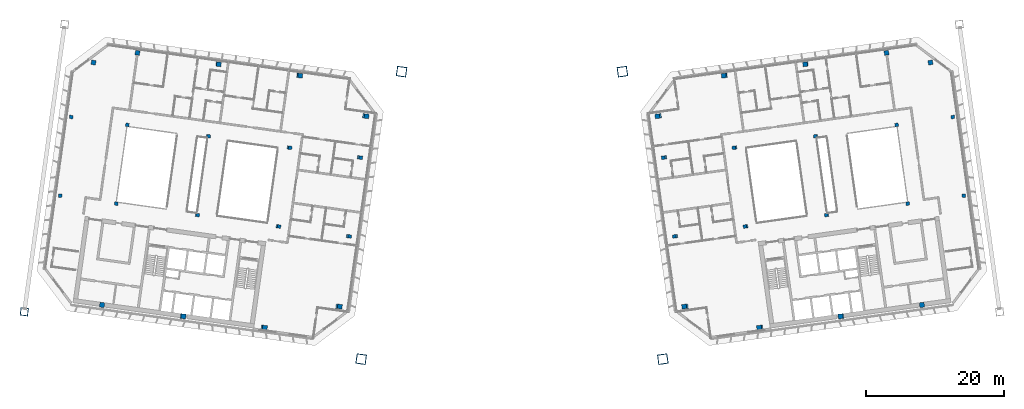
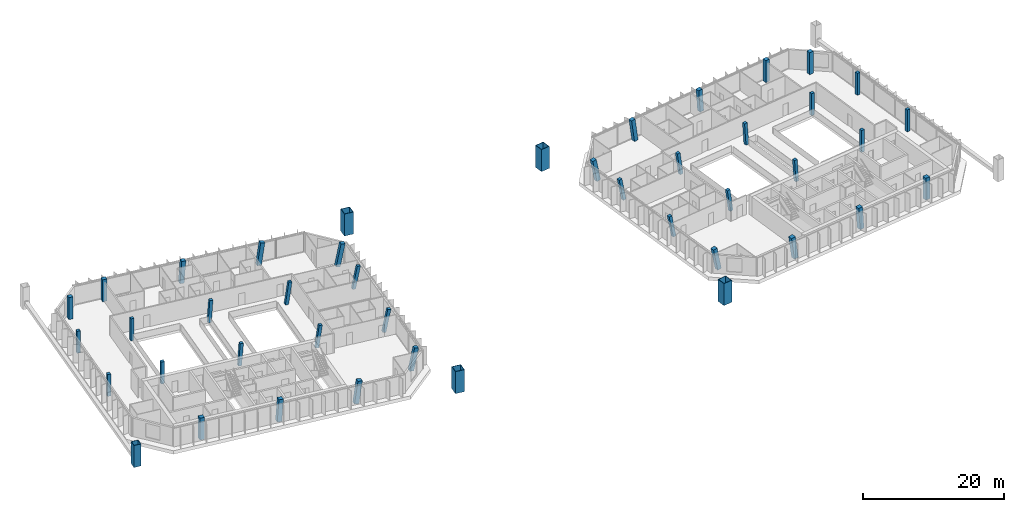
# One storey, part 1 of 26: 42 columns, 1 member.
"""IFC4 building model written with IfcOpenShell, lengths in metres."""

from ifc_helpers import new_model, si_unit, direction, frame, origin, origin_2d, place, context, subcontext, project, spatial, rectangle, hollow_rectangle, extrude, material, material_profile, profile_set, type_object, element, save


model = new_model("IFC4")

# Units and contexts
model_context = context("Model", 3, precision=1e-05, world=origin(), true_north=direction((0.0, 1.0)))
body_context = subcontext(model_context, "Body", "Model", "MODEL_VIEW")
ifc_project = project(units=[si_unit("LENGTHUNIT", "METRE"), si_unit("AREAUNIT", "SQUARE_METRE"), si_unit("VOLUMEUNIT", "CUBIC_METRE"), si_unit("PLANEANGLEUNIT", "RADIAN"), si_unit("MASSUNIT", "GRAM", prefix="KILO")], contexts=[model_context])

# Site, building, storey
site_placement = place(None, origin())
site = spatial("IfcSite", under=ifc_project, at=site_placement, CompositionType="ELEMENT")
building_placement = place(site_placement, origin())
building = spatial("IfcBuilding", under=site, at=building_placement, Name="Mirante Cascada Hotel Towers", CompositionType="ELEMENT")
storey_placement = place(building_placement, frame((0.0, 0.0, 235.6)))
storey = spatial("IfcBuildingStorey", under=building, at=storey_placement, Name="L56", CompositionType="ELEMENT", Elevation=235.6)

# Columns
ifc_material_1 = material(Name="Steel ASTM A572 Gr 50", Category="steel")
ifc_material_profile_1 = material_profile(ifc_material_1, hollow_rectangle(XDim=1.4, YDim=1.4, WallThickness=0.06, at=origin_2d()), Name="Box column 1400x1400x60 ASTM A572 Gr 50")
ifc_profile_set_1 = profile_set([ifc_material_profile_1], Name="Steel ASTM A572 Gr 50")
column_type_1 = type_object("IfcColumnType", Name="Box column 1400x1400x60 ASTM A572 Gr 50", PredefinedType="COLUMN", material=ifc_profile_set_1)
for number, where, z_axis, x_axis, name in (
    (1, (-15.9713, 17.2348, 0.0), (0.0, 0.0, 1.0), (-0.9902681, 0.1391731, 0.0), "Mega column MC1 T1 L56"),
    (2, (-21.8166, -24.3565, 0.0), (0.0, 0.0, 1.0), (-0.9902681, 0.1391731, 0.0), "Mega column MC2 T1 L56"),
    (3, (15.9713, 17.2348, 0.0), (0.0, 0.0, 1.0), (0.9902681, 0.1391731, 0.0), "Mega column MC1 T2 L56"),
    (4, (21.8166, -24.3565, 0.0), (0.0, 0.0, 1.0), (0.9902681, 0.1391731, 0.0), "Mega column MC2 T2 L56"),
):
    element("IfcColumn", number, at=place(storey_placement, frame(where, z_axis=z_axis, x_axis=x_axis)), inside=storey, type_object=column_type_1, Name=name, PredefinedType="COLUMN", context=body_context, shape_type="SweptSolid", body=[
        extrude(hollow_rectangle(XDim=1.4, YDim=1.4, WallThickness=0.06, at=origin_2d()), origin(), (0.0, 0.0, 1.0), 3.8),
    ])
ifc_material_2 = material(Name="Concrete C50/60", Category="concrete")
ifc_material_profile_2 = material_profile(ifc_material_2, rectangle(XDim=0.5, YDim=0.5, at=origin_2d()), Name="RC column 500x500 C50/60")
ifc_profile_set_2 = profile_set([ifc_material_profile_2], Name="Concrete C50/60")
column_type_2 = type_object("IfcColumnType", Name="RC column 500x500 C50/60", PredefinedType="COLUMN", material=ifc_profile_set_2)
for number, where, z_axis, x_axis, name in (
    (5, (-22.1138, 4.8188, 0.0039), (0.1939194, -0.0272558, 0.9806388), (0.139184, 0.9902665, 0.0), "Column T1 L56 2"),
    (6, (-23.7143, -6.5693, 0.0039), (0.1939194, -0.0272558, 0.9806388), (0.139184, 0.9902665, 0.0), "Column T1 L56 3"),
):
    element("IfcColumn", number, at=place(storey_placement, frame(where, z_axis=z_axis, x_axis=x_axis)), inside=storey, type_object=column_type_2, Name=name, PredefinedType="COLUMN", context=body_context, shape_type="SweptSolid", body=[
        extrude(rectangle(XDim=0.5, YDim=0.5, at=origin_2d()), origin(), (0.0, 0.0, 1.0), 3.8671),
    ])
for number, where, z_axis, x_axis, name in (
    (7, (-32.2616, 6.245, 0.004), (0.1370645, -0.0192747, 0.9903746), (0.1392548, 0.9902566, 0.0), "Column T1 L56 6"),
    (8, (-33.8621, -5.1431, 0.004), (0.1370646, -0.0192486, 0.9903751), (0.1390698, 0.9902826, 0.0), "Column T1 L56 7"),
):
    element("IfcColumn", number, at=place(storey_placement, frame(where, z_axis=z_axis, x_axis=x_axis)), inside=storey, type_object=column_type_2, Name=name, PredefinedType="COLUMN", context=body_context, shape_type="SweptSolid", body=[
        extrude(rectangle(XDim=0.5, YDim=0.5, at=origin_2d()), origin(), (0.0, 0.0, 1.0), 3.8289),
    ])
column_1_placement = place(storey_placement, frame((-43.9532, 7.8881, 0.004), z_axis=(0.06903, -0.009681, 0.9975676), x_axis=(0.1388847, 0.9903086, 0.0)))
element("IfcColumn", 9, at=column_1_placement, inside=storey, type_object=column_type_2, Name="Column T1 L56 10", PredefinedType="COLUMN", context=body_context, shape_type="SweptSolid", body=[
    extrude(rectangle(XDim=0.5, YDim=0.5, at=origin_2d()), origin(), (0.0, 0.0, 1.0), 3.8012),
])
column_2_placement = place(storey_placement, frame((-45.5537, -3.4999, 0.004), z_axis=(0.0690562, -0.0097073, 0.9975655), x_axis=(0.1392028, 0.9902639, 0.0)))
element("IfcColumn", 10, at=column_2_placement, inside=storey, type_object=column_type_2, Name="Column T1 L56 11", PredefinedType="COLUMN", context=body_context, shape_type="SweptSolid", body=[
    extrude(rectangle(XDim=0.5, YDim=0.5, at=origin_2d()), origin(), (0.0, 0.0, 1.0), 3.8013),
])
for number, where, z_axis, x_axis, name in (
    (11, (-55.6447, 9.5313, 0.0), (0.0, 0.0, 1.0), (-0.9902681, 0.1391731, 0.0), "Column T1 L56 14"),
    (12, (-57.2452, -1.8568, 0.0), (0.0, 0.0, 1.0), (-0.9902681, 0.1391731, 0.0), "Column T1 L56 15"),
    (13, (-63.7649, 10.6725, 0.0), (0.0, 0.0, 1.0), (-0.9902681, 0.1391731, 0.0), "Column T1 L56 18"),
    (14, (-65.3654, -0.7156, 0.0), (0.0, 0.0, 1.0), (-0.9902681, 0.1391731, 0.0), "Column T1 L56 19"),
):
    element("IfcColumn", number, at=place(storey_placement, frame(where, z_axis=z_axis, x_axis=x_axis)), inside=storey, type_object=column_type_2, Name=name, PredefinedType="COLUMN", context=body_context, shape_type="SweptSolid", body=[
        extrude(rectangle(XDim=0.5, YDim=0.5, at=origin_2d()), origin(), (0.0, 0.0, 1.0), 3.8),
    ])
for number, where, z_axis, x_axis, name in (
    (15, (22.1138, 4.8188, 0.0039), (-0.1939194, -0.0272558, 0.9806388), (0.139184, -0.9902665, 0.0), "Column T2 L56 2"),
    (16, (23.7143, -6.5693, 0.0039), (-0.1939194, -0.0272558, 0.9806388), (0.139184, -0.9902665, 0.0), "Column T2 L56 3"),
):
    element("IfcColumn", number, at=place(storey_placement, frame(where, z_axis=z_axis, x_axis=x_axis)), inside=storey, type_object=column_type_2, Name=name, PredefinedType="COLUMN", context=body_context, shape_type="SweptSolid", body=[
        extrude(rectangle(XDim=0.5, YDim=0.5, at=origin_2d()), origin(), (0.0, 0.0, 1.0), 3.8671),
    ])
for number, where, z_axis, x_axis, name in (
    (17, (32.2616, 6.245, 0.004), (-0.1370645, -0.0192747, 0.9903746), (0.1392548, -0.9902566, 0.0), "Column T2 L56 6"),
    (18, (33.8621, -5.1431, 0.004), (-0.1370646, -0.0192486, 0.9903751), (0.1390698, -0.9902826, 0.0), "Column T2 L56 7"),
):
    element("IfcColumn", number, at=place(storey_placement, frame(where, z_axis=z_axis, x_axis=x_axis)), inside=storey, type_object=column_type_2, Name=name, PredefinedType="COLUMN", context=body_context, shape_type="SweptSolid", body=[
        extrude(rectangle(XDim=0.5, YDim=0.5, at=origin_2d()), origin(), (0.0, 0.0, 1.0), 3.8289),
    ])
column_3_placement = place(storey_placement, frame((43.9532, 7.8881, 0.004), z_axis=(-0.06903, -0.009681, 0.9975676), x_axis=(0.1388847, -0.9903086, 0.0)))
element("IfcColumn", 19, at=column_3_placement, inside=storey, type_object=column_type_2, Name="Column T2 L56 10", PredefinedType="COLUMN", context=body_context, shape_type="SweptSolid", body=[
    extrude(rectangle(XDim=0.5, YDim=0.5, at=origin_2d()), origin(), (0.0, 0.0, 1.0), 3.8012),
])
column_4_placement = place(storey_placement, frame((45.5537, -3.4999, 0.004), z_axis=(-0.0690562, -0.0097073, 0.9975655), x_axis=(0.1392028, -0.9902639, 0.0)))
element("IfcColumn", 20, at=column_4_placement, inside=storey, type_object=column_type_2, Name="Column T2 L56 11", PredefinedType="COLUMN", context=body_context, shape_type="SweptSolid", body=[
    extrude(rectangle(XDim=0.5, YDim=0.5, at=origin_2d()), origin(), (0.0, 0.0, 1.0), 3.8013),
])
for number, where, z_axis, x_axis, name in (
    (21, (55.6447, 9.5313, 0.0), (0.0, 0.0, 1.0), (0.9902681, 0.1391731, 0.0), "Column T2 L56 14"),
    (22, (57.2452, -1.8568, 0.0), (0.0, 0.0, 1.0), (0.9902681, 0.1391731, 0.0), "Column T2 L56 15"),
    (23, (63.7649, 10.6725, 0.0), (0.0, 0.0, 1.0), (0.9902681, 0.1391731, 0.0), "Column T2 L56 18"),
    (24, (65.3654, -0.7156, 0.0), (0.0, 0.0, 1.0), (0.9902681, 0.1391731, 0.0), "Column T2 L56 19"),
):
    element("IfcColumn", number, at=place(storey_placement, frame(where, z_axis=z_axis, x_axis=x_axis)), inside=storey, type_object=column_type_2, Name=name, PredefinedType="COLUMN", context=body_context, shape_type="SweptSolid", body=[
        extrude(rectangle(XDim=0.5, YDim=0.5, at=origin_2d()), origin(), (0.0, 0.0, 1.0), 3.8),
    ])
ifc_material_3 = material(Name="Concrete C50/60", Category="concrete")
ifc_material_profile_3 = material_profile(ifc_material_3, rectangle(XDim=0.65, YDim=0.65, at=origin_2d()), Name="RC column 650x650 C50/60")
ifc_profile_set_3 = profile_set([ifc_material_profile_3], Name="Concrete C50/60")
column_type_3 = type_object("IfcColumnType", Name="RC column 650x650 C50/60", PredefinedType="COLUMN", material=ifc_profile_set_3)
for number, where, z_axis, x_axis, name in (
    (25, (-21.2718, 10.8099, 0.0039), (0.1939194, -0.0272558, 0.9806388), (0.139184, 0.9902665, 0.0), "Column T1 L56 1"),
    (26, (-25.1408, -16.7195, 0.0039), (0.1939194, -0.0272558, 0.9806388), (0.139184, 0.9902665, 0.0), "Column T1 L56 4"),
):
    element("IfcColumn", number, at=place(storey_placement, frame(where, z_axis=z_axis, x_axis=x_axis)), inside=storey, type_object=column_type_3, Name=name, PredefinedType="COLUMN", context=body_context, shape_type="SweptSolid", body=[
        extrude(rectangle(XDim=0.65, YDim=0.65, at=origin_2d()), origin(), (0.0, 0.0, 1.0), 3.8671),
    ])
column_5_placement = place(storey_placement, frame((-30.7968, 16.6676, 0.004), z_axis=(0.1370645, -0.0192747, 0.9903746), x_axis=(0.1392548, 0.9902566, 0.0)))
element("IfcColumn", 27, at=column_5_placement, inside=storey, type_object=column_type_3, Name="Column T1 L56 5", PredefinedType="COLUMN", context=body_context, shape_type="SweptSolid", body=[
    extrude(rectangle(XDim=0.65, YDim=0.65, at=origin_2d()), origin(), (0.0, 0.0, 1.0), 3.8289),
])
column_6_placement = place(storey_placement, frame((-42.4884, 18.3107, 0.004), z_axis=(0.06903, -0.0097073, 0.9975674), x_axis=(0.1392548, 0.9902566, 0.0)))
element("IfcColumn", 28, at=column_6_placement, inside=storey, type_object=column_type_3, Name="Column T1 L56 9", PredefinedType="COLUMN", context=body_context, shape_type="SweptSolid", body=[
    extrude(rectangle(XDim=0.65, YDim=0.65, at=origin_2d()), origin(), (0.0, 0.0, 1.0), 3.8012),
])
for number, where, z_axis, x_axis, name in (
    (29, (-54.1799, 19.9538, 0.0), (0.0, 0.0, 1.0), (-0.9902681, 0.1391731, 0.0), "Column T1 L56 13"),
    (30, (-60.5372, 18.5499, 0.0), (0.0, 0.0, 1.0), (-0.9902681, 0.1391731, 0.0), "Column T1 L56 17"),
):
    element("IfcColumn", number, at=place(storey_placement, frame(where, z_axis=z_axis, x_axis=x_axis)), inside=storey, type_object=column_type_3, Name=name, PredefinedType="COLUMN", context=body_context, shape_type="SweptSolid", body=[
        extrude(rectangle(XDim=0.65, YDim=0.65, at=origin_2d()), origin(), (0.0, 0.0, 1.0), 3.8),
    ])
for number, where, z_axis, x_axis, name in (
    (31, (21.2718, 10.8099, 0.0039), (-0.1939194, -0.0272558, 0.9806388), (0.139184, -0.9902665, 0.0), "Column T2 L56 1"),
    (32, (25.1408, -16.7195, 0.0039), (-0.1939194, -0.0272558, 0.9806388), (0.139184, -0.9902665, 0.0), "Column T2 L56 4"),
):
    element("IfcColumn", number, at=place(storey_placement, frame(where, z_axis=z_axis, x_axis=x_axis)), inside=storey, type_object=column_type_3, Name=name, PredefinedType="COLUMN", context=body_context, shape_type="SweptSolid", body=[
        extrude(rectangle(XDim=0.65, YDim=0.65, at=origin_2d()), origin(), (0.0, 0.0, 1.0), 3.8671),
    ])
column_7_placement = place(storey_placement, frame((30.7968, 16.6676, 0.004), z_axis=(-0.1370645, -0.0192747, 0.9903746), x_axis=(0.1392548, -0.9902566, 0.0)))
element("IfcColumn", 33, at=column_7_placement, inside=storey, type_object=column_type_3, Name="Column T2 L56 5", PredefinedType="COLUMN", context=body_context, shape_type="SweptSolid", body=[
    extrude(rectangle(XDim=0.65, YDim=0.65, at=origin_2d()), origin(), (0.0, 0.0, 1.0), 3.8289),
])
column_8_placement = place(storey_placement, frame((42.4884, 18.3107, 0.004), z_axis=(-0.06903, -0.0097073, 0.9975674), x_axis=(0.1392548, -0.9902566, 0.0)))
element("IfcColumn", 34, at=column_8_placement, inside=storey, type_object=column_type_3, Name="Column T2 L56 9", PredefinedType="COLUMN", context=body_context, shape_type="SweptSolid", body=[
    extrude(rectangle(XDim=0.65, YDim=0.65, at=origin_2d()), origin(), (0.0, 0.0, 1.0), 3.8012),
])
for number, where, z_axis, x_axis, name in (
    (35, (54.1799, 19.9538, 0.0), (0.0, 0.0, 1.0), (0.9902681, 0.1391731, 0.0), "Column T2 L56 13"),
    (36, (60.5372, 18.5499, 0.0), (0.0, 0.0, 1.0), (0.9902681, 0.1391731, 0.0), "Column T2 L56 17"),
):
    element("IfcColumn", number, at=place(storey_placement, frame(where, z_axis=z_axis, x_axis=x_axis)), inside=storey, type_object=column_type_3, Name=name, PredefinedType="COLUMN", context=body_context, shape_type="SweptSolid", body=[
        extrude(rectangle(XDim=0.65, YDim=0.65, at=origin_2d()), origin(), (0.0, 0.0, 1.0), 3.8),
    ])
ifc_material_4 = material(Name="Concrete C50/60", Category="concrete")
ifc_material_profile_4 = material_profile(ifc_material_4, rectangle(XDim=0.7, YDim=0.7, at=origin_2d()), Name="RC column 700x700 C50/60")
ifc_profile_set_4 = profile_set([ifc_material_profile_4], Name="Concrete C50/60")
column_type_4 = type_object("IfcColumnType", Name="RC column 700x700 C50/60", PredefinedType="COLUMN", material=ifc_profile_set_4)
column_9_placement = place(storey_placement, frame((-35.9219, -19.7991, 0.004), z_axis=(0.1370902, -0.0192485, 0.9903715), x_axis=(0.1390438, 0.9902862, 0.0)))
element("IfcColumn", 37, at=column_9_placement, inside=storey, type_object=column_type_4, Name="Column T1 L56 8", PredefinedType="COLUMN", context=body_context, shape_type="SweptSolid", body=[
    extrude(rectangle(XDim=0.7, YDim=0.7, at=origin_2d()), origin(), (0.0, 0.0, 1.0), 3.8289),
])
column_10_placement = place(storey_placement, frame((-47.6134, -18.1559, 0.004), z_axis=(0.06903, -0.0097073, 0.9975674), x_axis=(0.1392548, 0.9902566, 0.0)))
element("IfcColumn", 38, at=column_10_placement, inside=storey, type_object=column_type_4, Name="Column T1 L56 12", PredefinedType="COLUMN", context=body_context, shape_type="SweptSolid", body=[
    extrude(rectangle(XDim=0.7, YDim=0.7, at=origin_2d()), origin(), (0.0, 0.0, 1.0), 3.8012),
])
column_11_placement = place(storey_placement, frame((-59.305, -16.5128, 0.0), z_axis=(0.0, 0.0, 1.0), x_axis=(-0.9902681, 0.1391731, 0.0)))
element("IfcColumn", 39, at=column_11_placement, inside=storey, type_object=column_type_4, Name="Column T1 L56 16", PredefinedType="COLUMN", context=body_context, shape_type="SweptSolid", body=[
    extrude(rectangle(XDim=0.7, YDim=0.7, at=origin_2d()), origin(), (0.0, 0.0, 1.0), 3.8),
])
column_12_placement = place(storey_placement, frame((35.9219, -19.7991, 0.004), z_axis=(-0.1370902, -0.0192485, 0.9903715), x_axis=(0.1390438, -0.9902862, 0.0)))
element("IfcColumn", 40, at=column_12_placement, inside=storey, type_object=column_type_4, Name="Column T2 L56 8", PredefinedType="COLUMN", context=body_context, shape_type="SweptSolid", body=[
    extrude(rectangle(XDim=0.7, YDim=0.7, at=origin_2d()), origin(), (0.0, 0.0, 1.0), 3.8289),
])
column_13_placement = place(storey_placement, frame((47.6134, -18.1559, 0.004), z_axis=(-0.06903, -0.0097073, 0.9975674), x_axis=(0.1392548, -0.9902566, 0.0)))
element("IfcColumn", 41, at=column_13_placement, inside=storey, type_object=column_type_4, Name="Column T2 L56 12", PredefinedType="COLUMN", context=body_context, shape_type="SweptSolid", body=[
    extrude(rectangle(XDim=0.7, YDim=0.7, at=origin_2d()), origin(), (0.0, 0.0, 1.0), 3.8012),
])
column_14_placement = place(storey_placement, frame((59.305, -16.5128, 0.0), z_axis=(0.0, 0.0, 1.0), x_axis=(0.9902681, 0.1391731, 0.0)))
element("IfcColumn", 42, at=column_14_placement, inside=storey, type_object=column_type_4, Name="Column T2 L56 16", PredefinedType="COLUMN", context=body_context, shape_type="SweptSolid", body=[
    extrude(rectangle(XDim=0.7, YDim=0.7, at=origin_2d()), origin(), (0.0, 0.0, 1.0), 3.8),
])

# Member
ifc_material_5 = material(Name="Steel ASTM A572 Gr 50", Category="steel")
ifc_material_profile_5 = material_profile(ifc_material_5, hollow_rectangle(XDim=1.1, YDim=1.1, WallThickness=0.05, at=origin_2d()), Name="Box post 1100x1100x50 ASTM A572 Gr 50")
ifc_profile_set_5 = profile_set([ifc_material_profile_5], Name="Steel ASTM A572 Gr 50")
member_type = type_object("IfcMemberType", Name="Box post 1100x1100x50 ASTM A572 Gr 50", PredefinedType="POST", material=ifc_profile_set_5)
member_placement = place(storey_placement, frame((-70.5528, -17.5071, 0.0), z_axis=(0.0, 0.0, 1.0), x_axis=(-0.9902681, 0.1391731, 0.0)))
element("IfcMember", 43, at=member_placement, inside=storey, type_object=member_type, Name="Mega column MP4 T1 L56", PredefinedType="POST", context=body_context, shape_type="SweptSolid", body=[
    extrude(hollow_rectangle(XDim=1.1, YDim=1.1, WallThickness=0.05, at=origin_2d()), origin(), (0.0, 0.0, 1.0), 3.8),
])

save(model, "model.ifc")
